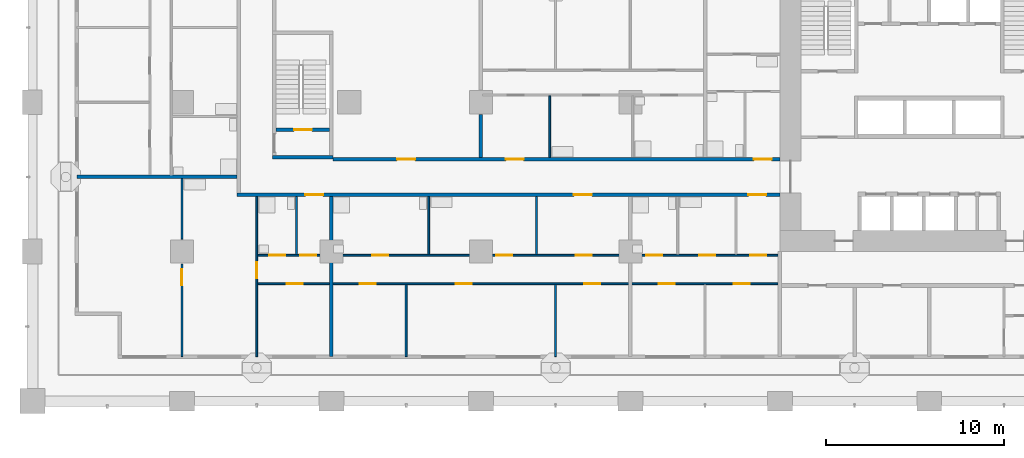
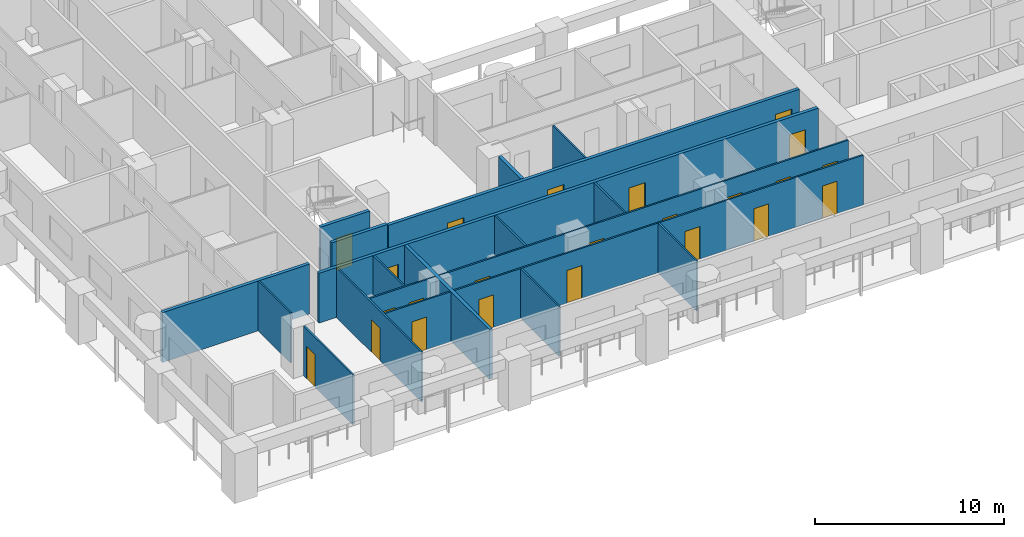
# One storey, part 2 of 20: 23 doors, 18 walls, 23 openings.
"""IFC4 building model written with IfcOpenShell, lengths in metres."""

from ifc_helpers import new_model, si_unit, direction, frame, frame_2d, origin, place, context, subcontext, project, spatial, rectangle, extrude, material, layer, layer_set, type_object, element, fill, save


model = new_model("IFC4")

# Units and contexts
model_context = context("Model", 3, precision=1e-05, world=origin(), true_north=direction((0.0, 1.0)))
body_context = subcontext(model_context, "Body", "Model", "MODEL_VIEW")
ifc_project = project(units=[si_unit("LENGTHUNIT", "METRE"), si_unit("AREAUNIT", "SQUARE_METRE"), si_unit("VOLUMEUNIT", "CUBIC_METRE"), si_unit("PLANEANGLEUNIT", "RADIAN"), si_unit("MASSUNIT", "GRAM", prefix="KILO")], contexts=[model_context])

# Site, building, storey
site_placement = place(None, origin())
site = spatial("IfcSite", under=ifc_project, at=site_placement, CompositionType="ELEMENT")
building_placement = place(site_placement, origin())
building = spatial("IfcBuilding", under=site, at=building_placement, Name="Vermilion Gate Residences", CompositionType="ELEMENT")
storey_placement = place(building_placement, frame((0.0, 0.0, 42.699951171875)))
storey = spatial("IfcBuildingStorey", under=building, at=storey_placement, Name="L09", CompositionType="ELEMENT", Elevation=42.699951171875)

# Wall, openings, doors
ifc_material_1 = material(Name="Plasterboard on steel studs", Category="steel")
ifc_layer_1 = layer(ifc_material_1, 0.10009765625)
ifc_layer_set_1 = layer_set([ifc_layer_1], Name="PARTITION 100")
wall_type_1 = type_object("IfcWallType", Name="PARTITION 100", PredefinedType="PARTITIONING", material=ifc_layer_set_1)
wall_1_placement = place(storey_placement, frame((12.64990234375, 6.60009765625, 0.0), z_axis=(0.0, 0.0, 1.0), x_axis=(1.0, 0.0, 0.0)))
wall_1 = element("IfcWall", 1, at=wall_1_placement, inside=storey, type_object=wall_type_1, Name="Partition", PredefinedType="PARTITIONING", context=body_context, shape_type="SweptSolid", body=[
    extrude(rectangle(XDim=29.25, YDim=0.10009765625, at=frame_2d((14.625, 0.0))), origin(), (0.0, 0.0, 1.0), 3.219970703125),
])
opening_1_placement = place(wall_1_placement, frame((1.64990234375, 0.0, 0.0)))
opening_1 = element("IfcOpeningElement", 2, at=opening_1_placement, cuts=wall_1, Name="Opening DA07007", PredefinedType="OPENING", context=body_context, shape_type="SweptSolid", body=[
    extrude(rectangle(XDim=0.89990234375, YDim=2.10009765625, at=frame_2d((0.449951171875, 1.050048828125))), frame((0.0, 0.06005859375, 0.0), z_axis=(0.0, -1.0, 0.0), x_axis=(1.0, 0.0, 0.0)), (0.0, 0.0, 1.0), 0.1201171875),
])
opening_2_placement = place(wall_1_placement, frame((5.75, 0.0, 0.0)))
opening_2 = element("IfcOpeningElement", 3, at=opening_2_placement, cuts=wall_1, Name="Opening DA07008", PredefinedType="OPENING", context=body_context, shape_type="SweptSolid", body=[
    extrude(rectangle(XDim=0.89990234375, YDim=2.10009765625, at=frame_2d((0.449951171875, 1.050048828125))), frame((0.0, 0.06005859375, 0.0), z_axis=(0.0, -1.0, 0.0), x_axis=(1.0, 0.0, 0.0)), (0.0, 0.0, 1.0), 0.1201171875),
])
opening_3_placement = place(wall_1_placement, frame((11.14990234375, 0.0, 0.0)))
opening_3 = element("IfcOpeningElement", 4, at=opening_3_placement, cuts=wall_1, Name="Opening DA07009", PredefinedType="OPENING", context=body_context, shape_type="SweptSolid", body=[
    extrude(rectangle(XDim=0.89990234375, YDim=2.10009765625, at=frame_2d((0.449951171875, 1.050048828125))), frame((0.0, 0.06005859375, 0.0), z_axis=(0.0, -1.0, 0.0), x_axis=(1.0, 0.0, 0.0)), (0.0, 0.0, 1.0), 0.1201171875),
])
opening_4_placement = place(wall_1_placement, frame((18.35009765625, 0.0, 0.0)))
opening_4 = element("IfcOpeningElement", 5, at=opening_4_placement, cuts=wall_1, Name="Opening DA07010", PredefinedType="OPENING", context=body_context, shape_type="SweptSolid", body=[
    extrude(rectangle(XDim=0.89990234375, YDim=2.10009765625, at=frame_2d((0.449951171875, 1.050048828125))), frame((0.0, 0.06005859375, 0.0), z_axis=(0.0, -1.0, 0.0), x_axis=(1.0, 0.0, 0.0)), (0.0, 0.0, 1.0), 0.1201171875),
])
opening_5_placement = place(wall_1_placement, frame((22.550048828125, 0.0, 0.0)))
opening_5 = element("IfcOpeningElement", 6, at=opening_5_placement, cuts=wall_1, Name="Opening DA07011", PredefinedType="OPENING", context=body_context, shape_type="SweptSolid", body=[
    extrude(rectangle(XDim=0.89990234375, YDim=2.10009765625, at=frame_2d((0.449951171875, 1.050048828125))), frame((0.0, 0.06005859375, 0.0), z_axis=(0.0, -1.0, 0.0), x_axis=(1.0, 0.0, 0.0)), (0.0, 0.0, 1.0), 0.1201171875),
])
opening_6_placement = place(wall_1_placement, frame((26.75, 0.0, 0.0)))
opening_6 = element("IfcOpeningElement", 7, at=opening_6_placement, cuts=wall_1, Name="Opening DA07012", PredefinedType="OPENING", context=body_context, shape_type="SweptSolid", body=[
    extrude(rectangle(XDim=0.89990234375, YDim=2.10009765625, at=frame_2d((0.449951171875, 1.050048828125))), frame((0.0, 0.06005859375, 0.0), z_axis=(0.0, -1.0, 0.0), x_axis=(1.0, 0.0, 0.0)), (0.0, 0.0, 1.0), 0.1201171875),
])
ifc_material_2 = material(Name="Timber", Category="wood")
door_type_1 = type_object("IfcDoorType", Name="INTERIOR DOOR 900 X 2100", OperationType="SINGLE_SWING_LEFT", PredefinedType="DOOR", material=ifc_material_2)
door_1_placement = place(opening_1_placement, frame((0.89990234375, 0.0, 0.0), z_axis=(0.0, 0.0, 1.0), x_axis=(-1.0, 0.0, 0.0)))
door_1 = element("IfcDoor", 8, at=door_1_placement, inside=storey, type_object=door_type_1, Name="Interior door", OperationType="SINGLE_SWING_LEFT", OverallHeight=2.10009765625, OverallWidth=0.89990234375, PredefinedType="DOOR", context=body_context, shape_type="SweptSolid", body=[
    extrude(rectangle(XDim=0.89990234375, YDim=2.10009765625, at=frame_2d((0.449951171875, 1.050048828125))), frame((0.0, 0.02490234375, 0.0), z_axis=(0.0, -1.0, 0.0), x_axis=(1.0, 0.0, 0.0)), (0.0, 0.0, 1.0), 0.050048828125),
])
fill(opening_1, door_1)
door_2_placement = place(opening_2_placement, frame((0.89990234375, 0.0, 0.0), z_axis=(0.0, 0.0, 1.0), x_axis=(-1.0, 0.0, 0.0)))
door_2 = element("IfcDoor", 9, at=door_2_placement, inside=storey, type_object=door_type_1, Name="Interior door", OperationType="SINGLE_SWING_RIGHT", OverallHeight=2.10009765625, OverallWidth=0.89990234375, PredefinedType="DOOR", context=body_context, shape_type="SweptSolid", body=[
    extrude(rectangle(XDim=0.89990234375, YDim=2.10009765625, at=frame_2d((0.449951171875, 1.050048828125))), frame((0.0, 0.02490234375, 0.0), z_axis=(0.0, -1.0, 0.0), x_axis=(1.0, 0.0, 0.0)), (0.0, 0.0, 1.0), 0.050048828125),
])
fill(opening_2, door_2)
door_3_placement = place(opening_3_placement, frame((0.89990234375, 0.0, 0.0), z_axis=(0.0, 0.0, 1.0), x_axis=(-1.0, 0.0, 0.0)))
door_3 = element("IfcDoor", 10, at=door_3_placement, inside=storey, type_object=door_type_1, Name="Interior door", OperationType="SINGLE_SWING_RIGHT", OverallHeight=2.10009765625, OverallWidth=0.89990234375, PredefinedType="DOOR", context=body_context, shape_type="SweptSolid", body=[
    extrude(rectangle(XDim=0.89990234375, YDim=2.10009765625, at=frame_2d((0.449951171875, 1.050048828125))), frame((0.0, 0.02490234375, 0.0), z_axis=(0.0, -1.0, 0.0), x_axis=(1.0, 0.0, 0.0)), (0.0, 0.0, 1.0), 0.050048828125),
])
fill(opening_3, door_3)
door_4_placement = place(opening_4_placement, frame((0.89990234375, 0.0, 0.0), z_axis=(0.0, 0.0, 1.0), x_axis=(-1.0, 0.0, 0.0)))
door_4 = element("IfcDoor", 11, at=door_4_placement, inside=storey, type_object=door_type_1, Name="Interior door", OperationType="SINGLE_SWING_RIGHT", OverallHeight=2.10009765625, OverallWidth=0.89990234375, PredefinedType="DOOR", context=body_context, shape_type="SweptSolid", body=[
    extrude(rectangle(XDim=0.89990234375, YDim=2.10009765625, at=frame_2d((0.449951171875, 1.050048828125))), frame((0.0, 0.02490234375, 0.0), z_axis=(0.0, -1.0, 0.0), x_axis=(1.0, 0.0, 0.0)), (0.0, 0.0, 1.0), 0.050048828125),
])
fill(opening_4, door_4)
door_5_placement = place(opening_5_placement, frame((0.89990234375, 0.0, 0.0), z_axis=(0.0, 0.0, 1.0), x_axis=(-1.0, 0.0, 0.0)))
door_5 = element("IfcDoor", 12, at=door_5_placement, inside=storey, type_object=door_type_1, Name="Interior door", OperationType="SINGLE_SWING_RIGHT", OverallHeight=2.10009765625, OverallWidth=0.89990234375, PredefinedType="DOOR", context=body_context, shape_type="SweptSolid", body=[
    extrude(rectangle(XDim=0.89990234375, YDim=2.10009765625, at=frame_2d((0.449951171875, 1.050048828125))), frame((0.0, 0.02490234375, 0.0), z_axis=(0.0, -1.0, 0.0), x_axis=(1.0, 0.0, 0.0)), (0.0, 0.0, 1.0), 0.050048828125),
])
fill(opening_5, door_5)
door_6_placement = place(opening_6_placement, frame((0.89990234375, 0.0, 0.0), z_axis=(0.0, 0.0, 1.0), x_axis=(-1.0, 0.0, 0.0)))
door_6 = element("IfcDoor", 13, at=door_6_placement, inside=storey, type_object=door_type_1, Name="Interior door", OperationType="SINGLE_SWING_RIGHT", OverallHeight=2.10009765625, OverallWidth=0.89990234375, PredefinedType="DOOR", context=body_context, shape_type="SweptSolid", body=[
    extrude(rectangle(XDim=0.89990234375, YDim=2.10009765625, at=frame_2d((0.449951171875, 1.050048828125))), frame((0.0, 0.02490234375, 0.0), z_axis=(0.0, -1.0, 0.0), x_axis=(1.0, 0.0, 0.0)), (0.0, 0.0, 1.0), 0.050048828125),
])
fill(opening_6, door_6)

wall_2_placement = place(storey_placement, frame((12.64990234375, 8.199951171875, 0.0), z_axis=(0.0, 0.0, 1.0), x_axis=(1.0, 0.0, 0.0)))
wall_2 = element("IfcWall", 14, at=wall_2_placement, inside=storey, type_object=wall_type_1, Name="Partition", PredefinedType="PARTITIONING", context=body_context, shape_type="SweptSolid", body=[
    extrude(rectangle(XDim=29.25, YDim=0.10009765625, at=frame_2d((14.625, 0.0))), origin(), (0.0, 0.0, 1.0), 3.219970703125),
])
opening_7_placement = place(wall_2_placement, frame((2.389892578125, 0.0, 0.0)))
opening_7 = element("IfcOpeningElement", 15, at=opening_7_placement, cuts=wall_2, Name="Opening DA07013", PredefinedType="OPENING", context=body_context, shape_type="SweptSolid", body=[
    extrude(rectangle(XDim=0.89990234375, YDim=2.10009765625, at=frame_2d((0.449951171875, 1.050048828125))), frame((0.0, 0.06005859375, 0.0), z_axis=(0.0, -1.0, 0.0), x_axis=(1.0, 0.0, 0.0)), (0.0, 0.0, 1.0), 0.1201171875),
])
opening_8_placement = place(wall_2_placement, frame((0.64990234375, 0.0, 0.0)))
opening_8 = element("IfcOpeningElement", 16, at=opening_8_placement, cuts=wall_2, Name="Opening DA07014", PredefinedType="OPENING", context=body_context, shape_type="SweptSolid", body=[
    extrude(rectangle(XDim=0.89990234375, YDim=2.10009765625, at=frame_2d((0.449951171875, 1.050048828125))), frame((0.0, 0.06005859375, 0.0), z_axis=(0.0, -1.0, 0.0), x_axis=(1.0, 0.0, 0.0)), (0.0, 0.0, 1.0), 0.1201171875),
])
opening_9_placement = place(wall_2_placement, frame((17.883056640625, 0.0, 0.0)))
opening_9 = element("IfcOpeningElement", 17, at=opening_9_placement, cuts=wall_2, Name="Opening DA07015", PredefinedType="OPENING", context=body_context, shape_type="SweptSolid", body=[
    extrude(rectangle(XDim=0.89990234375, YDim=2.10009765625, at=frame_2d((0.449951171875, 1.050048828125))), frame((0.0, 0.06005859375, 0.0), z_axis=(0.0, -1.0, 0.0), x_axis=(1.0, 0.0, 0.0)), (0.0, 0.0, 1.0), 0.1201171875),
])
opening_10_placement = place(wall_2_placement, frame((6.449951171875, 0.0, 0.0)))
opening_10 = element("IfcOpeningElement", 18, at=opening_10_placement, cuts=wall_2, Name="Opening DA07016", PredefinedType="OPENING", context=body_context, shape_type="SweptSolid", body=[
    extrude(rectangle(XDim=0.89990234375, YDim=2.10009765625, at=frame_2d((0.449951171875, 1.050048828125))), frame((0.0, 0.06005859375, 0.0), z_axis=(0.0, -1.0, 0.0), x_axis=(1.0, 0.0, 0.0)), (0.0, 0.0, 1.0), 0.1201171875),
])
opening_11_placement = place(wall_2_placement, frame((13.4169921875, 0.0, 0.0)))
opening_11 = element("IfcOpeningElement", 19, at=opening_11_placement, cuts=wall_2, Name="Opening DA07017", PredefinedType="OPENING", context=body_context, shape_type="SweptSolid", body=[
    extrude(rectangle(XDim=0.89990234375, YDim=2.10009765625, at=frame_2d((0.449951171875, 1.050048828125))), frame((0.0, 0.06005859375, 0.0), z_axis=(0.0, -1.0, 0.0), x_axis=(1.0, 0.0, 0.0)), (0.0, 0.0, 1.0), 0.1201171875),
])
opening_12_placement = place(wall_2_placement, frame((27.68310546875, 0.0, 0.0)))
opening_12 = element("IfcOpeningElement", 20, at=opening_12_placement, cuts=wall_2, Name="Opening DA07018", PredefinedType="OPENING", context=body_context, shape_type="SweptSolid", body=[
    extrude(rectangle(XDim=0.89990234375, YDim=2.10009765625, at=frame_2d((0.449951171875, 1.050048828125))), frame((0.0, 0.06005859375, 0.0), z_axis=(0.0, -1.0, 0.0), x_axis=(1.0, 0.0, 0.0)), (0.0, 0.0, 1.0), 0.1201171875),
])
opening_13_placement = place(wall_2_placement, frame((21.85009765625, 0.0, 0.0)))
opening_13 = element("IfcOpeningElement", 21, at=opening_13_placement, cuts=wall_2, Name="Opening DA07019", PredefinedType="OPENING", context=body_context, shape_type="SweptSolid", body=[
    extrude(rectangle(XDim=0.89990234375, YDim=2.10009765625, at=frame_2d((0.449951171875, 1.050048828125))), frame((0.0, 0.06005859375, 0.0), z_axis=(0.0, -1.0, 0.0), x_axis=(1.0, 0.0, 0.0)), (0.0, 0.0, 1.0), 0.1201171875),
])
opening_14_placement = place(wall_2_placement, frame((24.81689453125, 0.0, 0.0)))
opening_14 = element("IfcOpeningElement", 22, at=opening_14_placement, cuts=wall_2, Name="Opening DA07020", PredefinedType="OPENING", context=body_context, shape_type="SweptSolid", body=[
    extrude(rectangle(XDim=0.89990234375, YDim=2.10009765625, at=frame_2d((0.449951171875, 1.050048828125))), frame((0.0, 0.06005859375, 0.0), z_axis=(0.0, -1.0, 0.0), x_axis=(1.0, 0.0, 0.0)), (0.0, 0.0, 1.0), 0.1201171875),
])
door_7_placement = place(opening_7_placement, origin())
door_7 = element("IfcDoor", 23, at=door_7_placement, inside=storey, type_object=door_type_1, Name="Interior door", OperationType="SINGLE_SWING_LEFT", OverallHeight=2.10009765625, OverallWidth=0.89990234375, PredefinedType="DOOR", context=body_context, shape_type="SweptSolid", body=[
    extrude(rectangle(XDim=0.89990234375, YDim=2.10009765625, at=frame_2d((0.449951171875, 1.050048828125))), frame((0.0, 0.02490234375, 0.0), z_axis=(0.0, -1.0, 0.0), x_axis=(1.0, 0.0, 0.0)), (0.0, 0.0, 1.0), 0.050048828125),
])
fill(opening_7, door_7)
door_8_placement = place(opening_8_placement, origin())
door_8 = element("IfcDoor", 24, at=door_8_placement, inside=storey, type_object=door_type_1, Name="Interior door", OperationType="SINGLE_SWING_LEFT", OverallHeight=2.10009765625, OverallWidth=0.89990234375, PredefinedType="DOOR", context=body_context, shape_type="SweptSolid", body=[
    extrude(rectangle(XDim=0.89990234375, YDim=2.10009765625, at=frame_2d((0.449951171875, 1.050048828125))), frame((0.0, 0.02490234375, 0.0), z_axis=(0.0, -1.0, 0.0), x_axis=(1.0, 0.0, 0.0)), (0.0, 0.0, 1.0), 0.050048828125),
])
fill(opening_8, door_8)
door_9_placement = place(opening_9_placement, origin())
door_9 = element("IfcDoor", 25, at=door_9_placement, inside=storey, type_object=door_type_1, Name="Interior door", OperationType="SINGLE_SWING_RIGHT", OverallHeight=2.10009765625, OverallWidth=0.89990234375, PredefinedType="DOOR", context=body_context, shape_type="SweptSolid", body=[
    extrude(rectangle(XDim=0.89990234375, YDim=2.10009765625, at=frame_2d((0.449951171875, 1.050048828125))), frame((0.0, 0.02490234375, 0.0), z_axis=(0.0, -1.0, 0.0), x_axis=(1.0, 0.0, 0.0)), (0.0, 0.0, 1.0), 0.050048828125),
])
fill(opening_9, door_9)
door_10_placement = place(opening_10_placement, origin())
door_10 = element("IfcDoor", 26, at=door_10_placement, inside=storey, type_object=door_type_1, Name="Interior door", OperationType="SINGLE_SWING_LEFT", OverallHeight=2.10009765625, OverallWidth=0.89990234375, PredefinedType="DOOR", context=body_context, shape_type="SweptSolid", body=[
    extrude(rectangle(XDim=0.89990234375, YDim=2.10009765625, at=frame_2d((0.449951171875, 1.050048828125))), frame((0.0, 0.02490234375, 0.0), z_axis=(0.0, -1.0, 0.0), x_axis=(1.0, 0.0, 0.0)), (0.0, 0.0, 1.0), 0.050048828125),
])
fill(opening_10, door_10)
door_11_placement = place(opening_11_placement, origin())
door_11 = element("IfcDoor", 27, at=door_11_placement, inside=storey, type_object=door_type_1, Name="Interior door", OperationType="SINGLE_SWING_LEFT", OverallHeight=2.10009765625, OverallWidth=0.89990234375, PredefinedType="DOOR", context=body_context, shape_type="SweptSolid", body=[
    extrude(rectangle(XDim=0.89990234375, YDim=2.10009765625, at=frame_2d((0.449951171875, 1.050048828125))), frame((0.0, 0.02490234375, 0.0), z_axis=(0.0, -1.0, 0.0), x_axis=(1.0, 0.0, 0.0)), (0.0, 0.0, 1.0), 0.050048828125),
])
fill(opening_11, door_11)
door_12_placement = place(opening_12_placement, origin())
door_12 = element("IfcDoor", 28, at=door_12_placement, inside=storey, type_object=door_type_1, Name="Interior door", OperationType="SINGLE_SWING_RIGHT", OverallHeight=2.10009765625, OverallWidth=0.89990234375, PredefinedType="DOOR", context=body_context, shape_type="SweptSolid", body=[
    extrude(rectangle(XDim=0.89990234375, YDim=2.10009765625, at=frame_2d((0.449951171875, 1.050048828125))), frame((0.0, 0.02490234375, 0.0), z_axis=(0.0, -1.0, 0.0), x_axis=(1.0, 0.0, 0.0)), (0.0, 0.0, 1.0), 0.050048828125),
])
fill(opening_12, door_12)
door_13_placement = place(opening_13_placement, origin())
door_13 = element("IfcDoor", 29, at=door_13_placement, inside=storey, type_object=door_type_1, Name="Interior door", OperationType="SINGLE_SWING_LEFT", OverallHeight=2.10009765625, OverallWidth=0.89990234375, PredefinedType="DOOR", context=body_context, shape_type="SweptSolid", body=[
    extrude(rectangle(XDim=0.89990234375, YDim=2.10009765625, at=frame_2d((0.449951171875, 1.050048828125))), frame((0.0, 0.02490234375, 0.0), z_axis=(0.0, -1.0, 0.0), x_axis=(1.0, 0.0, 0.0)), (0.0, 0.0, 1.0), 0.050048828125),
])
fill(opening_13, door_13)
door_14_placement = place(opening_14_placement, origin())
door_14 = element("IfcDoor", 30, at=door_14_placement, inside=storey, type_object=door_type_1, Name="Interior door", OperationType="SINGLE_SWING_RIGHT", OverallHeight=2.10009765625, OverallWidth=0.89990234375, PredefinedType="DOOR", context=body_context, shape_type="SweptSolid", body=[
    extrude(rectangle(XDim=0.89990234375, YDim=2.10009765625, at=frame_2d((0.449951171875, 1.050048828125))), frame((0.0, 0.02490234375, 0.0), z_axis=(0.0, -1.0, 0.0), x_axis=(1.0, 0.0, 0.0)), (0.0, 0.0, 1.0), 0.050048828125),
])
fill(opening_14, door_14)

# Wall, opening, door
wall_3_placement = place(storey_placement, frame((8.39990234375, 2.5, 0.0), z_axis=(0.0, 0.0, 1.0), x_axis=(0.0, 1.0, 0.0)))
wall_3 = element("IfcWall", 31, at=wall_3_placement, inside=storey, type_object=wall_type_1, Name="Partition", PredefinedType="PARTITIONING", context=body_context, shape_type="SweptSolid", body=[
    extrude(rectangle(XDim=5.199951171875, YDim=0.10009765625, at=frame_2d((2.60009765625, 0.0))), origin(), (0.0, 0.0, 1.0), 3.219970703125),
])
opening_15_placement = place(wall_3_placement, frame((4.0, 0.0, 0.0)))
opening_15 = element("IfcOpeningElement", 32, at=opening_15_placement, cuts=wall_3, Name="Opening DA07051", PredefinedType="OPENING", context=body_context, shape_type="SweptSolid", body=[
    extrude(rectangle(XDim=0.89990234375, YDim=2.10009765625, at=frame_2d((0.449951171875, 1.050048828125))), frame((0.0, 0.06005859375, 0.0), z_axis=(0.0, -1.0, 0.0), x_axis=(1.0, 0.0, 0.0)), (0.0, 0.0, 1.0), 0.1201171875),
])
door_15_placement = place(opening_15_placement, frame((0.89990234375, 0.0, 0.0), z_axis=(0.0, 0.0, 1.0), x_axis=(-1.0, 0.0, 0.0)))
door_15 = element("IfcDoor", 33, at=door_15_placement, inside=storey, type_object=door_type_1, Name="Interior door", OperationType="SINGLE_SWING_LEFT", OverallHeight=2.10009765625, OverallWidth=0.89990234375, PredefinedType="DOOR", context=body_context, shape_type="SweptSolid", body=[
    extrude(rectangle(XDim=0.89990234375, YDim=2.10009765625, at=frame_2d((0.449951171875, 1.050048828125))), frame((0.0, 0.02490234375, 0.0), z_axis=(0.0, -1.0, 0.0), x_axis=(1.0, 0.0, 0.0)), (0.0, 0.0, 1.0), 0.050048828125),
])
fill(opening_15, door_15)

# Wall
wall_4_placement = place(storey_placement, frame((8.39990234375, 9.10009765625, 0.0), z_axis=(0.0, 0.0, 1.0), x_axis=(0.0, 1.0, 0.0)))
element("IfcWall", 34, at=wall_4_placement, inside=storey, type_object=wall_type_1, Name="Partition", PredefinedType="PARTITIONING", context=body_context, shape_type="SweptSolid", body=[
    extrude(rectangle(XDim=3.39990234375, YDim=0.10009765625, at=frame_2d((1.699951171875, 0.0))), origin(), (0.0, 0.0, 1.0), 3.219970703125),
])

# Wall, opening, door
wall_5_placement = place(storey_placement, frame((12.60009765625, 2.5, 0.0), z_axis=(0.0, 0.0, 1.0), x_axis=(0.0, 1.0, 0.0)))
wall_5 = element("IfcWall", 35, at=wall_5_placement, inside=storey, type_object=wall_type_1, Name="Partition", PredefinedType="PARTITIONING", context=body_context, shape_type="SweptSolid", body=[
    extrude(rectangle(XDim=9.0, YDim=0.10009765625, at=frame_2d((4.5, 0.0))), origin(), (0.0, 0.0, 1.0), 3.219970703125),
])
opening_16_placement = place(wall_5_placement, frame((4.39990234375, 0.0, 0.0)))
opening_16 = element("IfcOpeningElement", 36, at=opening_16_placement, cuts=wall_5, Name="Opening DA07054", PredefinedType="OPENING", context=body_context, shape_type="SweptSolid", body=[
    extrude(rectangle(XDim=0.89990234375, YDim=2.10009765625, at=frame_2d((0.449951171875, 1.050048828125))), frame((0.0, 0.06005859375, 0.0), z_axis=(0.0, -1.0, 0.0), x_axis=(1.0, 0.0, 0.0)), (0.0, 0.0, 1.0), 0.1201171875),
])
door_16_placement = place(opening_16_placement, origin())
door_16 = element("IfcDoor", 37, at=door_16_placement, inside=storey, type_object=door_type_1, Name="Interior door", OperationType="SINGLE_SWING_LEFT", OverallHeight=2.10009765625, OverallWidth=0.89990234375, PredefinedType="DOOR", context=body_context, shape_type="SweptSolid", body=[
    extrude(rectangle(XDim=0.89990234375, YDim=2.10009765625, at=frame_2d((0.449951171875, 1.050048828125))), frame((0.0, 0.02490234375, 0.0), z_axis=(0.0, -1.0, 0.0), x_axis=(1.0, 0.0, 0.0)), (0.0, 0.0, 1.0), 0.050048828125),
])
fill(opening_16, door_16)

# Walls
wall_6_placement = place(storey_placement, frame((14.840087890625, 8.25, 0.0), z_axis=(0.0, 0.0, 1.0), x_axis=(0.0, 1.0, 0.0)))
element("IfcWall", 38, at=wall_6_placement, inside=storey, type_object=wall_type_1, Name="Partition", PredefinedType="PARTITIONING", context=body_context, shape_type="SweptSolid", body=[
    extrude(rectangle(XDim=3.25, YDim=0.10009765625, at=frame_2d((1.625, 0.0))), origin(), (0.0, 0.0, 1.0), 3.219970703125),
])
wall_7_placement = place(storey_placement, frame((21.0, 2.5, 0.0), z_axis=(0.0, 0.0, 1.0), x_axis=(0.0, 1.0, 0.0)))
element("IfcWall", 39, at=wall_7_placement, inside=storey, type_object=wall_type_1, Name="Partition", PredefinedType="PARTITIONING", context=body_context, shape_type="SweptSolid", body=[
    extrude(rectangle(XDim=4.050048828125, YDim=0.10009765625, at=frame_2d((2.02490234375, 0.0))), origin(), (0.0, 0.0, 1.0), 3.219970703125),
])
for number, where, z_axis, x_axis, name in (
    (40, (22.26708984375, 8.25, 0.0), (0.0, 0.0, 1.0), (0.0, 1.0, 0.0), "Partition"),
    (41, (28.3330078125, 8.25, 0.0), (0.0, 0.0, 1.0), (0.0, 1.0, 0.0), "Partition"),
):
    element("IfcWall", number, at=place(storey_placement, frame(where, z_axis=z_axis, x_axis=x_axis)), inside=storey, type_object=wall_type_1, Name=name, PredefinedType="PARTITIONING", context=body_context, shape_type="SweptSolid", body=[
        extrude(rectangle(XDim=3.25, YDim=0.10009765625, at=frame_2d((1.625, 0.0))), origin(), (0.0, 0.0, 1.0), 3.219970703125),
    ])
wall_8_placement = place(storey_placement, frame((29.06689453125, 13.699951171875, 0.0), z_axis=(0.0, 0.0, 1.0), x_axis=(0.0, 1.0, 0.0)))
element("IfcWall", 42, at=wall_8_placement, inside=storey, type_object=wall_type_1, Name="Partition", PredefinedType="PARTITIONING", context=body_context, shape_type="SweptSolid", body=[
    extrude(rectangle(XDim=3.449951171875, YDim=0.10009765625, at=frame_2d((1.72509765625, 0.0))), origin(), (0.0, 0.0, 1.0), 3.219970703125),
])
wall_9_placement = place(storey_placement, frame((29.39990234375, 2.5, 0.0), z_axis=(0.0, 0.0, 1.0), x_axis=(0.0, 1.0, 0.0)))
element("IfcWall", 43, at=wall_9_placement, inside=storey, type_object=wall_type_1, Name="Partition", PredefinedType="PARTITIONING", context=body_context, shape_type="SweptSolid", body=[
    extrude(rectangle(XDim=4.050048828125, YDim=0.10009765625, at=frame_2d((2.02490234375, 0.0))), origin(), (0.0, 0.0, 1.0), 3.219970703125),
])

# Wall, openings, doors
ifc_material_3 = material(Name="Fire-rated plasterboard on steel studs", Category="steel")
ifc_layer_2 = layer(ifc_material_3, 0.199951171875)
ifc_layer_set_2 = layer_set([ifc_layer_2], Name="PARTY WALL 200 EI 120")
wall_type_2 = type_object("IfcWallType", Name="PARTY WALL 200 EI 120", PredefinedType="PARTITIONING", material=ifc_layer_set_2)
wall_10_placement = place(storey_placement, frame((11.5, 11.60009765625, 0.0), z_axis=(0.0, 0.0, 1.0), x_axis=(1.0, 0.0, 0.0)))
wall_10 = element("IfcWall", 44, at=wall_10_placement, inside=storey, type_object=wall_type_2, Name="Party and corridor wall", PredefinedType="PARTITIONING", context=body_context, shape_type="SweptSolid", body=[
    extrude(rectangle(XDim=30.5, YDim=0.199951171875, at=frame_2d((15.25, 0.0))), origin(), (0.0, 0.0, 1.0), 3.219970703125),
])
opening_17_placement = place(wall_10_placement, frame((3.840087890625, 0.0, 0.0)))
opening_17 = element("IfcOpeningElement", 45, at=opening_17_placement, cuts=wall_10, Name="Opening DA07021", PredefinedType="OPENING", context=body_context, shape_type="SweptSolid", body=[
    extrude(rectangle(XDim=1.0, YDim=2.10009765625, at=frame_2d((0.5, 1.050048828125))), frame((0.0, 0.10986328125, 0.0), z_axis=(0.0, -1.0, 0.0), x_axis=(1.0, 0.0, 0.0)), (0.0, 0.0, 1.0), 0.219970703125),
])
opening_18_placement = place(wall_10_placement, frame((18.93310546875, 0.0, 0.0)))
opening_18 = element("IfcOpeningElement", 46, at=opening_18_placement, cuts=wall_10, Name="Opening DA07022", PredefinedType="OPENING", context=body_context, shape_type="SweptSolid", body=[
    extrude(rectangle(XDim=1.0, YDim=2.10009765625, at=frame_2d((0.5, 1.050048828125))), frame((0.0, 0.10986328125, 0.0), z_axis=(0.0, -1.0, 0.0), x_axis=(1.0, 0.0, 0.0)), (0.0, 0.0, 1.0), 0.219970703125),
])
opening_19_placement = place(wall_10_placement, frame((28.73291015625, 0.0, 0.0)))
opening_19 = element("IfcOpeningElement", 47, at=opening_19_placement, cuts=wall_10, Name="Opening DA07023", PredefinedType="OPENING", context=body_context, shape_type="SweptSolid", body=[
    extrude(rectangle(XDim=1.0, YDim=2.10009765625, at=frame_2d((0.5, 1.050048828125))), frame((0.0, 0.10986328125, 0.0), z_axis=(0.0, -1.0, 0.0), x_axis=(1.0, 0.0, 0.0)), (0.0, 0.0, 1.0), 0.219970703125),
])
ifc_material_4 = material(Name="Steel", Category="steel")
door_type_2 = type_object("IfcDoorType", Name="ENTRANCE DOOR 1000 X 2100 FD30", OperationType="SINGLE_SWING_LEFT", PredefinedType="DOOR", material=ifc_material_4)
door_17_placement = place(opening_17_placement, frame((1.0, 0.0, 0.0), z_axis=(0.0, 0.0, 1.0), x_axis=(-1.0, 0.0, 0.0)))
door_17 = element("IfcDoor", 48, at=door_17_placement, inside=storey, type_object=door_type_2, Name="Entrance door", OperationType="SINGLE_SWING_LEFT", OverallHeight=2.10009765625, OverallWidth=1.0, PredefinedType="DOOR", context=body_context, shape_type="SweptSolid", body=[
    extrude(rectangle(XDim=1.0, YDim=2.10009765625, at=frame_2d((0.5, 1.050048828125))), frame((0.0, 0.02490234375, 0.0), z_axis=(0.0, -1.0, 0.0), x_axis=(1.0, 0.0, 0.0)), (0.0, 0.0, 1.0), 0.050048828125),
])
fill(opening_17, door_17)
door_18_placement = place(opening_18_placement, frame((1.0, 0.0, 0.0), z_axis=(0.0, 0.0, 1.0), x_axis=(-1.0, 0.0, 0.0)))
door_18 = element("IfcDoor", 49, at=door_18_placement, inside=storey, type_object=door_type_2, Name="Entrance door", OperationType="SINGLE_SWING_RIGHT", OverallHeight=2.10009765625, OverallWidth=1.0, PredefinedType="DOOR", context=body_context, shape_type="SweptSolid", body=[
    extrude(rectangle(XDim=1.0, YDim=2.10009765625, at=frame_2d((0.5, 1.050048828125))), frame((0.0, 0.02490234375, 0.0), z_axis=(0.0, -1.0, 0.0), x_axis=(1.0, 0.0, 0.0)), (0.0, 0.0, 1.0), 0.050048828125),
])
fill(opening_18, door_18)
door_19_placement = place(opening_19_placement, frame((1.0, 0.0, 0.0), z_axis=(0.0, 0.0, 1.0), x_axis=(-1.0, 0.0, 0.0)))
door_19 = element("IfcDoor", 50, at=door_19_placement, inside=storey, type_object=door_type_2, Name="Entrance door", OperationType="SINGLE_SWING_RIGHT", OverallHeight=2.10009765625, OverallWidth=1.0, PredefinedType="DOOR", context=body_context, shape_type="SweptSolid", body=[
    extrude(rectangle(XDim=1.0, YDim=2.10009765625, at=frame_2d((0.5, 1.050048828125))), frame((0.0, 0.02490234375, 0.0), z_axis=(0.0, -1.0, 0.0), x_axis=(1.0, 0.0, 0.0)), (0.0, 0.0, 1.0), 0.050048828125),
])
fill(opening_19, door_19)

# Wall
wall_11_placement = place(storey_placement, frame((2.5, 12.60009765625, 0.0), z_axis=(0.0, 0.0, 1.0), x_axis=(1.0, 0.0, 0.0)))
element("IfcWall", 51, at=wall_11_placement, inside=storey, type_object=wall_type_2, Name="Party and corridor wall", PredefinedType="PARTITIONING", context=body_context, shape_type="SweptSolid", body=[
    extrude(rectangle(XDim=9.0, YDim=0.199951171875, at=frame_2d((4.5, 0.0))), origin(), (0.0, 0.0, 1.0), 3.219970703125),
])

# Wall, openings, doors
wall_12_placement = place(storey_placement, frame((16.89990234375, 13.60009765625, 0.0), z_axis=(0.0, 0.0, 1.0), x_axis=(1.0, 0.0, 0.0)))
wall_12 = element("IfcWall", 52, at=wall_12_placement, inside=storey, type_object=wall_type_2, Name="Party and corridor wall", PredefinedType="PARTITIONING", context=body_context, shape_type="SweptSolid", body=[
    extrude(rectangle(XDim=25.10009765625, YDim=0.199951171875, at=frame_2d((12.550048828125, 0.0))), origin(), (0.0, 0.0, 1.0), 3.219970703125),
])
opening_20_placement = place(wall_12_placement, frame((9.699951171875, 0.0, 0.0)))
opening_20 = element("IfcOpeningElement", 53, at=opening_20_placement, cuts=wall_12, Name="Opening DA07024", PredefinedType="OPENING", context=body_context, shape_type="SweptSolid", body=[
    extrude(rectangle(XDim=1.0, YDim=2.10009765625, at=frame_2d((0.5, 1.050048828125))), frame((0.0, 0.10986328125, 0.0), z_axis=(0.0, -1.0, 0.0), x_axis=(1.0, 0.0, 0.0)), (0.0, 0.0, 1.0), 0.219970703125),
])
opening_21_placement = place(wall_12_placement, frame((23.639892578125, 0.0, 0.0)))
opening_21 = element("IfcOpeningElement", 54, at=opening_21_placement, cuts=wall_12, Name="Opening DA07025", PredefinedType="OPENING", context=body_context, shape_type="SweptSolid", body=[
    extrude(rectangle(XDim=1.0, YDim=2.10009765625, at=frame_2d((0.5, 1.050048828125))), frame((0.0, 0.10986328125, 0.0), z_axis=(0.0, -1.0, 0.0), x_axis=(1.0, 0.0, 0.0)), (0.0, 0.0, 1.0), 0.219970703125),
])
opening_22_placement = place(wall_12_placement, frame((3.60009765625, 0.0, 0.0)))
opening_22 = element("IfcOpeningElement", 55, at=opening_22_placement, cuts=wall_12, Name="Opening DA07026", PredefinedType="OPENING", context=body_context, shape_type="SweptSolid", body=[
    extrude(rectangle(XDim=1.0, YDim=2.10009765625, at=frame_2d((0.5, 1.050048828125))), frame((0.0, 0.10986328125, 0.0), z_axis=(0.0, -1.0, 0.0), x_axis=(1.0, 0.0, 0.0)), (0.0, 0.0, 1.0), 0.219970703125),
])
door_20_placement = place(opening_20_placement, origin())
door_20 = element("IfcDoor", 56, at=door_20_placement, inside=storey, type_object=door_type_2, Name="Entrance door", OperationType="SINGLE_SWING_LEFT", OverallHeight=2.10009765625, OverallWidth=1.0, PredefinedType="DOOR", context=body_context, shape_type="SweptSolid", body=[
    extrude(rectangle(XDim=1.0, YDim=2.10009765625, at=frame_2d((0.5, 1.050048828125))), frame((0.0, 0.02490234375, 0.0), z_axis=(0.0, -1.0, 0.0), x_axis=(1.0, 0.0, 0.0)), (0.0, 0.0, 1.0), 0.050048828125),
])
fill(opening_20, door_20)
door_21_placement = place(opening_21_placement, origin())
door_21 = element("IfcDoor", 57, at=door_21_placement, inside=storey, type_object=door_type_2, Name="Entrance door", OperationType="SINGLE_SWING_LEFT", OverallHeight=2.10009765625, OverallWidth=1.0, PredefinedType="DOOR", context=body_context, shape_type="SweptSolid", body=[
    extrude(rectangle(XDim=1.0, YDim=2.10009765625, at=frame_2d((0.5, 1.050048828125))), frame((0.0, 0.02490234375, 0.0), z_axis=(0.0, -1.0, 0.0), x_axis=(1.0, 0.0, 0.0)), (0.0, 0.0, 1.0), 0.050048828125),
])
fill(opening_21, door_21)
door_22_placement = place(opening_22_placement, origin())
door_22 = element("IfcDoor", 58, at=door_22_placement, inside=storey, type_object=door_type_2, Name="Entrance door", OperationType="SINGLE_SWING_LEFT", OverallHeight=2.10009765625, OverallWidth=1.0, PredefinedType="DOOR", context=body_context, shape_type="SweptSolid", body=[
    extrude(rectangle(XDim=1.0, YDim=2.10009765625, at=frame_2d((0.5, 1.050048828125))), frame((0.0, 0.02490234375, 0.0), z_axis=(0.0, -1.0, 0.0), x_axis=(1.0, 0.0, 0.0)), (0.0, 0.0, 1.0), 0.050048828125),
])
fill(opening_22, door_22)

# Walls
wall_13_placement = place(storey_placement, frame((16.800048828125, 2.5, 0.0), z_axis=(0.0, 0.0, 1.0), x_axis=(0.0, 1.0, 0.0)))
element("IfcWall", 59, at=wall_13_placement, inside=storey, type_object=wall_type_2, Name="Party and corridor wall", PredefinedType="PARTITIONING", context=body_context, shape_type="SweptSolid", body=[
    extrude(rectangle(XDim=9.0, YDim=0.199951171875, at=frame_2d((4.5, 0.0))), origin(), (0.0, 0.0, 1.0), 3.219970703125),
])
wall_14_placement = place(storey_placement, frame((25.199951171875, 13.699951171875, 0.0), z_axis=(0.0, 0.0, 1.0), x_axis=(0.0, 1.0, 0.0)))
element("IfcWall", 60, at=wall_14_placement, inside=storey, type_object=wall_type_2, Name="Party and corridor wall", PredefinedType="PARTITIONING", context=body_context, shape_type="SweptSolid", body=[
    extrude(rectangle(XDim=2.400146484375, YDim=0.199951171875, at=frame_2d((1.2001953125, 0.0))), origin(), (0.0, 0.0, 1.0), 3.219970703125),
])
ifc_material_5 = material(Name="Concrete C60", Category="concrete")
ifc_layer_3 = layer(ifc_material_5, 0.199951171875)
ifc_layer_set_3 = layer_set([ifc_layer_3], Name="RC CORE INTERNAL WALL 200 C60")
wall_type_3 = type_object("IfcWallType", Name="RC CORE INTERNAL WALL 200 C60", PredefinedType="SHEAR", material=ifc_layer_set_3)
wall_15_placement = place(storey_placement, frame((13.5, 13.699951171875, 0.0), z_axis=(0.0, 0.0, 1.0), x_axis=(1.0, 0.0, 0.0)))
element("IfcWall", 61, at=wall_15_placement, inside=storey, type_object=wall_type_3, Name="Core internal wall C09-S", PredefinedType="SHEAR", context=body_context, shape_type="SweptSolid", body=[
    extrude(rectangle(XDim=3.39990234375, YDim=0.199951171875, at=frame_2d((1.699951171875, 0.0))), origin(), (0.0, 0.0, 1.0), 3.219970703125),
])

# Wall, opening, door
wall_16_placement = place(storey_placement, frame((13.699951171875, 15.25, 0.0), z_axis=(0.0, 0.0, 1.0), x_axis=(1.0, 0.0, 0.0)))
wall_16 = element("IfcWall", 62, at=wall_16_placement, inside=storey, type_object=wall_type_3, Name="Core internal wall C09-P", PredefinedType="SHEAR", context=body_context, shape_type="SweptSolid", body=[
    extrude(rectangle(XDim=3.0, YDim=0.199951171875, at=frame_2d((1.5, 0.0))), origin(), (0.0, 0.0, 1.0), 3.219970703125),
])
opening_23_placement = place(wall_16_placement, frame((1.0, 0.0, 0.0)))
opening_23 = element("IfcOpeningElement", 63, at=opening_23_placement, cuts=wall_16, Name="Opening DK09202", PredefinedType="OPENING", context=body_context, shape_type="SweptSolid", body=[
    extrude(rectangle(XDim=1.0, YDim=2.10009765625, at=frame_2d((0.5, 1.050048828125))), frame((0.0, 0.10986328125, 0.0), z_axis=(0.0, -1.0, 0.0), x_axis=(1.0, 0.0, 0.0)), (0.0, 0.0, 1.0), 0.219970703125),
])
ifc_material_6 = material(Name="Steel", Category="steel")
door_type_3 = type_object("IfcDoorType", Name="FIRE DOOR FD60 1000 X 2100", OperationType="SINGLE_SWING_LEFT", PredefinedType="DOOR", material=ifc_material_6)
door_23_placement = place(opening_23_placement, origin())
door_23 = element("IfcDoor", 64, at=door_23_placement, inside=storey, type_object=door_type_3, Name="Stair door C09", OperationType="SINGLE_SWING_LEFT", OverallHeight=2.10009765625, OverallWidth=1.0, PredefinedType="DOOR", context=body_context, shape_type="SweptSolid", body=[
    extrude(rectangle(XDim=1.0, YDim=2.10009765625, at=frame_2d((0.5, 1.050048828125))), frame((0.0, 0.02490234375, 0.0), z_axis=(0.0, -1.0, 0.0), x_axis=(1.0, 0.0, 0.0)), (0.0, 0.0, 1.0), 0.050048828125),
])
fill(opening_23, door_23)

save(model, "model.ifc")
